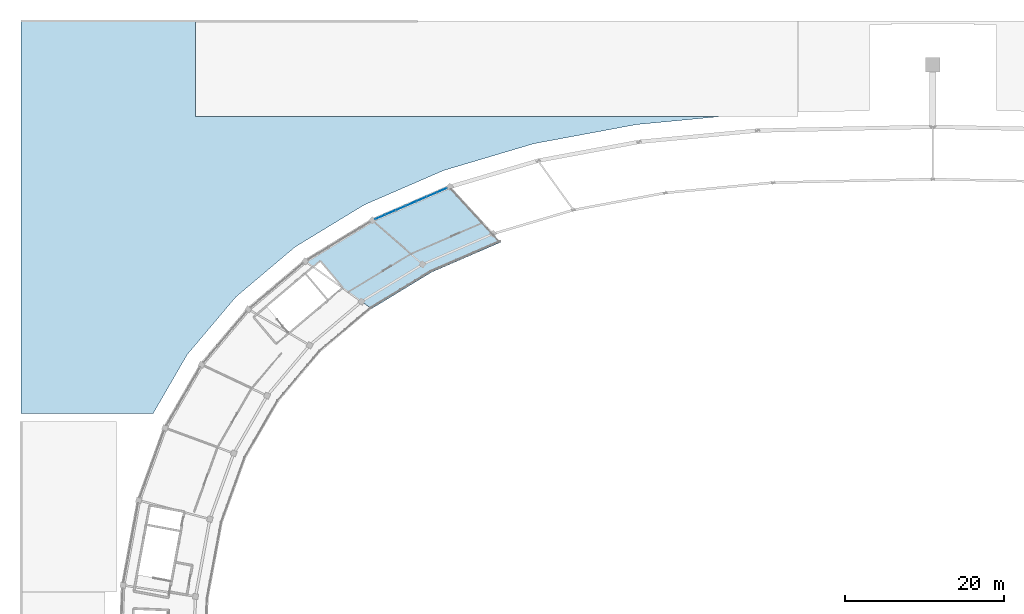
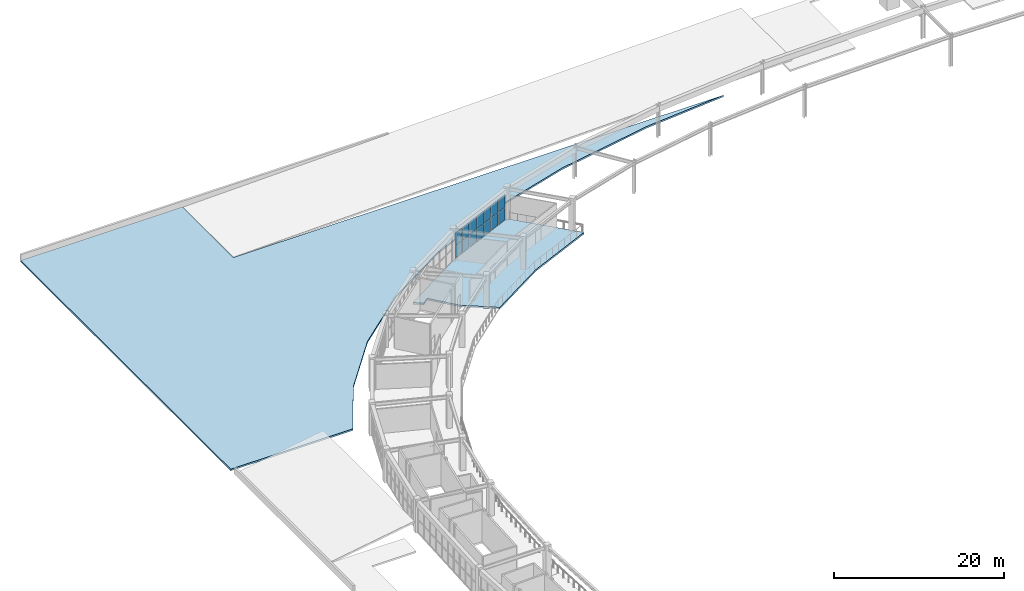
# One storey, part 35 of 45: 14 plates, 2 slabs, 2 elements without a shape of their own.
"""IFC4 building model written with IfcOpenShell, lengths in metres."""

from ifc_helpers import new_model, si_unit, direction, frame, origin, origin_2d, place, context, subcontext, project, spatial, polyline, rectangle, outline, extrude, material, layer, layer_set, type_object, element, aggregate, save


model = new_model("IFC4")

# Units and contexts
model_context = context("Model", 3, precision=1e-05, world=origin(), true_north=direction((0.0, 1.0)))
body_context = subcontext(model_context, "Body", "Model", "MODEL_VIEW")
ifc_project = project(units=[si_unit("LENGTHUNIT", "METRE"), si_unit("AREAUNIT", "SQUARE_METRE"), si_unit("VOLUMEUNIT", "CUBIC_METRE"), si_unit("PLANEANGLEUNIT", "RADIAN"), si_unit("MASSUNIT", "GRAM", prefix="KILO")], contexts=[model_context])

# Site, building, storey
site_placement = place(None, origin())
site = spatial("IfcSite", under=ifc_project, at=site_placement, CompositionType="ELEMENT")
building_placement = place(site_placement, origin())
building = spatial("IfcBuilding", under=site, at=building_placement, Name="Mphavela Belvedere Stadium", CompositionType="ELEMENT")
storey_placement = place(building_placement, frame((0.0, 0.0, 24.0)))
storey = spatial("IfcBuildingStorey", under=building, at=storey_placement, Name="L05", CompositionType="ELEMENT", Elevation=24.0)

# Curtain wall, plates
ifc_material_1 = material(Name="Anodised bronze unitised curtain wall framing")
ifc_layer_1 = layer(ifc_material_1, 0.199951171875)
ifc_layer_set_1 = layer_set([ifc_layer_1], Name="Anodised bronze unitised curtain wall framing")
curtain_wall_type = type_object("IfcCurtainWallType", Name="CW-UNIT-05", PredefinedType="USERDEFINED", material=ifc_layer_set_1)
curtain_wall_placement = place(storey_placement, origin())
curtain_wall = element("IfcCurtainWall", 1, at=curtain_wall_placement, inside=storey, type_object=curtain_wall_type, Name="Belvedere colonnade curtain wall L05-17", ObjectType="UNITISED CURTAIN WALL", PredefinedType="USERDEFINED")
ifc_material_2 = material(Name="Solar-control double glazing", Category="glass")
ifc_layer_2 = layer(ifc_material_2, 0.031982421875)
ifc_layer_set_2 = layer_set([ifc_layer_2], Name="Solar-control double glazing")
plate_type = type_object("IfcPlateType", Name="CWP-SOLAR-GLASS", PredefinedType="CURTAIN_PANEL", material=ifc_layer_set_2)
plate_1_placement = place(storey_placement, frame((53.07666015625, 152.6640625, 0.06005859375), z_axis=(0.0, 0.0, 1.0), x_axis=(-0.917496891164, -0.39774295054, 0.0)))
plate_1 = element("IfcPlate", 2, at=plate_1_placement, type_object=plate_type, Name="CW-05 panel 1.1", PredefinedType="CURTAIN_PANEL", context=body_context, shape_type="SweptSolid", body=[
    extrude(rectangle(XDim=1.322509765625, YDim=0.031982421875, at=origin_2d()), origin(), (0.0, 0.0, 1.0), 1.77001953125),
])
plate_2_placement = place(storey_placement, frame((53.07666015625, 152.6640625, 1.889892578125), z_axis=(0.0, 0.0, 1.0), x_axis=(-0.917496891164, -0.39774295054, 0.0)))
plate_2 = element("IfcPlate", 3, at=plate_2_placement, type_object=plate_type, Name="CW-05 panel 1.2", PredefinedType="CURTAIN_PANEL", context=body_context, shape_type="SweptSolid", body=[
    extrude(rectangle(XDim=1.322509765625, YDim=0.031982421875, at=origin_2d()), origin(), (0.0, 0.0, 1.0), 1.77001953125),
])
plate_3_placement = place(storey_placement, frame((51.788818359375, 152.105712890625, 0.06005859375), z_axis=(0.0, 0.0, 1.0), x_axis=(-0.917496891164, -0.39774295054, 0.0)))
plate_3 = element("IfcPlate", 4, at=plate_3_placement, type_object=plate_type, Name="CW-05 panel 2.1", PredefinedType="CURTAIN_PANEL", context=body_context, shape_type="SweptSolid", body=[
    extrude(rectangle(XDim=1.35498046875, YDim=0.031982421875, at=origin_2d()), origin(), (0.0, 0.0, 1.0), 1.77001953125),
])
plate_4_placement = place(storey_placement, frame((51.788818359375, 152.105712890625, 1.889892578125), z_axis=(0.0, 0.0, 1.0), x_axis=(-0.917496891164, -0.39774295054, 0.0)))
plate_4 = element("IfcPlate", 5, at=plate_4_placement, type_object=plate_type, Name="CW-05 panel 2.2", PredefinedType="CURTAIN_PANEL", context=body_context, shape_type="SweptSolid", body=[
    extrude(rectangle(XDim=1.35498046875, YDim=0.031982421875, at=origin_2d()), origin(), (0.0, 0.0, 1.0), 1.77001953125),
])
plate_5_placement = place(storey_placement, frame((50.48583984375, 151.541015625, 0.06005859375), z_axis=(0.0, 0.0, 1.0), x_axis=(-0.917496891164, -0.39774295054, 0.0)))
plate_5 = element("IfcPlate", 6, at=plate_5_placement, type_object=plate_type, Name="CW-05 panel 3.1", PredefinedType="CURTAIN_PANEL", context=body_context, shape_type="SweptSolid", body=[
    extrude(rectangle(XDim=1.35498046875, YDim=0.031982421875, at=origin_2d()), origin(), (0.0, 0.0, 1.0), 1.77001953125),
])
plate_6_placement = place(storey_placement, frame((50.48583984375, 151.541015625, 1.889892578125), z_axis=(0.0, 0.0, 1.0), x_axis=(-0.917496891164, -0.39774295054, 0.0)))
plate_6 = element("IfcPlate", 7, at=plate_6_placement, type_object=plate_type, Name="CW-05 panel 3.2", PredefinedType="CURTAIN_PANEL", context=body_context, shape_type="SweptSolid", body=[
    extrude(rectangle(XDim=1.35498046875, YDim=0.031982421875, at=origin_2d()), origin(), (0.0, 0.0, 1.0), 1.77001953125),
])
plate_7_placement = place(storey_placement, frame((49.18310546875, 150.97607421875, 0.06005859375), z_axis=(0.0, 0.0, 1.0), x_axis=(-0.917496891164, -0.39774295054, 0.0)))
plate_7 = element("IfcPlate", 8, at=plate_7_placement, type_object=plate_type, Name="CW-05 panel 4.1", PredefinedType="CURTAIN_PANEL", context=body_context, shape_type="SweptSolid", body=[
    extrude(rectangle(XDim=1.35498046875, YDim=0.031982421875, at=origin_2d()), origin(), (0.0, 0.0, 1.0), 1.77001953125),
])
plate_8_placement = place(storey_placement, frame((49.18310546875, 150.97607421875, 1.889892578125), z_axis=(0.0, 0.0, 1.0), x_axis=(-0.917496891164, -0.39774295054, 0.0)))
plate_8 = element("IfcPlate", 9, at=plate_8_placement, type_object=plate_type, Name="CW-05 panel 4.2", PredefinedType="CURTAIN_PANEL", context=body_context, shape_type="SweptSolid", body=[
    extrude(rectangle(XDim=1.35498046875, YDim=0.031982421875, at=origin_2d()), origin(), (0.0, 0.0, 1.0), 1.77001953125),
])
plate_9_placement = place(storey_placement, frame((47.880126953125, 150.411376953125, 0.06005859375), z_axis=(0.0, 0.0, 1.0), x_axis=(-0.917496891164, -0.39774295054, 0.0)))
plate_9 = element("IfcPlate", 10, at=plate_9_placement, type_object=plate_type, Name="CW-05 panel 5.1", PredefinedType="CURTAIN_PANEL", context=body_context, shape_type="SweptSolid", body=[
    extrude(rectangle(XDim=1.35498046875, YDim=0.031982421875, at=origin_2d()), origin(), (0.0, 0.0, 1.0), 1.77001953125),
])
plate_10_placement = place(storey_placement, frame((47.880126953125, 150.411376953125, 1.889892578125), z_axis=(0.0, 0.0, 1.0), x_axis=(-0.917496891164, -0.39774295054, 0.0)))
plate_10 = element("IfcPlate", 11, at=plate_10_placement, type_object=plate_type, Name="CW-05 panel 5.2", PredefinedType="CURTAIN_PANEL", context=body_context, shape_type="SweptSolid", body=[
    extrude(rectangle(XDim=1.35498046875, YDim=0.031982421875, at=origin_2d()), origin(), (0.0, 0.0, 1.0), 1.77001953125),
])
plate_11_placement = place(storey_placement, frame((46.577392578125, 149.846435546875, 0.06005859375), z_axis=(0.0, 0.0, 1.0), x_axis=(-0.917496891164, -0.39774295054, 0.0)))
plate_11 = element("IfcPlate", 12, at=plate_11_placement, type_object=plate_type, Name="CW-05 panel 6.1", PredefinedType="CURTAIN_PANEL", context=body_context, shape_type="SweptSolid", body=[
    extrude(rectangle(XDim=1.35498046875, YDim=0.031982421875, at=origin_2d()), origin(), (0.0, 0.0, 1.0), 1.77001953125),
])
plate_12_placement = place(storey_placement, frame((46.577392578125, 149.846435546875, 1.889892578125), z_axis=(0.0, 0.0, 1.0), x_axis=(-0.917496891164, -0.39774295054, 0.0)))
plate_12 = element("IfcPlate", 13, at=plate_12_placement, type_object=plate_type, Name="CW-05 panel 6.2", PredefinedType="CURTAIN_PANEL", context=body_context, shape_type="SweptSolid", body=[
    extrude(rectangle(XDim=1.35498046875, YDim=0.031982421875, at=origin_2d()), origin(), (0.0, 0.0, 1.0), 1.77001953125),
])
plate_13_placement = place(storey_placement, frame((45.28955078125, 149.2880859375, 0.06005859375), z_axis=(0.0, 0.0, 1.0), x_axis=(-0.917496891164, -0.39774295054, 0.0)))
plate_13 = element("IfcPlate", 14, at=plate_13_placement, type_object=plate_type, Name="CW-05 panel 7.1", PredefinedType="CURTAIN_PANEL", context=body_context, shape_type="SweptSolid", body=[
    extrude(rectangle(XDim=1.322509765625, YDim=0.031982421875, at=origin_2d()), origin(), (0.0, 0.0, 1.0), 1.77001953125),
])
plate_14_placement = place(storey_placement, frame((45.28955078125, 149.2880859375, 1.889892578125), z_axis=(0.0, 0.0, 1.0), x_axis=(-0.917496891164, -0.39774295054, 0.0)))
plate_14 = element("IfcPlate", 15, at=plate_14_placement, type_object=plate_type, Name="CW-05 panel 7.2", PredefinedType="CURTAIN_PANEL", context=body_context, shape_type="SweptSolid", body=[
    extrude(rectangle(XDim=1.322509765625, YDim=0.031982421875, at=origin_2d()), origin(), (0.0, 0.0, 1.0), 1.77001953125),
])
aggregate(curtain_wall, [plate_1, plate_2, plate_3, plate_4, plate_5, plate_6, plate_7, plate_8, plate_9, plate_10, plate_11, plate_12, plate_13, plate_14])

# Slab
ifc_material_3 = material(Name="Concrete C40/50", Category="concrete")
ifc_layer_3 = layer(ifc_material_3, 0.25)
ifc_layer_set_3 = layer_set([ifc_layer_3], Name="Concrete C40/50")
slab_type_1 = type_object("IfcSlabType", Name="SLB-CONCOURSE-250", PredefinedType="FLOOR", material=ifc_layer_set_3)
slab_1_placement = place(storey_placement, frame((0.0, 0.0, -0.25)))
element("IfcSlab", 16, at=slab_1_placement, inside=storey, type_object=slab_type_1, Name="Concourse sector slab L05-S3", PredefinedType="FLOOR", context=body_context, shape_type="SweptSolid", body=[
    extrude(outline(polyline([(44.2080078125, 137.72216796875), (40.400634765625, 140.4501953125), (37.727294921875, 143.617919921875), (36.924560546875, 142.940673828125), (35.844482421875, 143.714599609375), (44.3037109375, 148.86083984375), (54.0625, 153.09130859375), (60.501220703125, 146.10791015625), (51.773681640625, 142.32470703125), (44.2080078125, 137.72216796875)])), origin(), (0.0, 0.0, 1.0), 0.25),
])

# Roof, slab
ifc_material_4 = material(Name="Standing-seam zinc roofing membrane")
roof_type = type_object("IfcRoofType", Name="ROOF-PEDIMENT-ASSY", PredefinedType="GABLE_ROOF", material=ifc_material_4)
roof_placement = place(storey_placement, origin())
roof = element("IfcRoof", 17, at=roof_placement, inside=storey, type_object=roof_type, Name="North Mast and Ceremonial End Forecourt classical pediment roof", PredefinedType="GABLE_ROOF")
ifc_material_5 = material(Name="Standing-seam zinc insulated roof over Concrete C40/50", Category="concrete")
ifc_layer_4 = layer(ifc_material_5, 0.239990234375)
ifc_layer_set_4 = layer_set([ifc_layer_4], Name="Standing-seam zinc insulated roof over Concrete C40/50")
slab_type_2 = type_object("IfcSlabType", Name="SLB-ROOF-ZINC-240", PredefinedType="ROOF", material=ifc_layer_set_4)
slab_2_placement = place(storey_placement, origin())
slab_2 = element("IfcSlab", 18, at=slab_2_placement, type_object=slab_type_2, Name="North Mast and Ceremonial End Forecourt insulated roof deck 3", PredefinedType="ROOF", context=body_context, shape_type="SweptSolid", body=[
    extrude(outline(polyline([(77.718505859375, 160.95751953125), (77.5244140625, 160.93017578125), (64.7958984375, 158.559814453125), (64.57275390625, 158.505859375), (53.436279296875, 155.2001953125), (53.1875, 155.10986328125), (43.4287109375, 150.87939453125), (43.160400390625, 150.740478515625), (34.700927734375, 145.593994140625), (34.5595703125, 145.500244140625), (34.425537109375, 145.39599609375), (27.242919921875, 139.3349609375), (27.106201171875, 139.20947265625), (26.980712890625, 139.072998046875), (21.07666015625, 132.080810546875), (20.957763671875, 131.9267578125), (20.852783203125, 131.7626953125), (16.653564453125, 124.5), (0.0, 124.5), (0.0, 174.0), (22.0, 174.0), (22.0, 162.0), (88.651123046875, 162.0), (77.718505859375, 160.95751953125)])), origin(), (0.0, 0.0, 1.0), 0.239990234375),
])
aggregate(roof, [slab_2])

save(model, "model.ifc")
